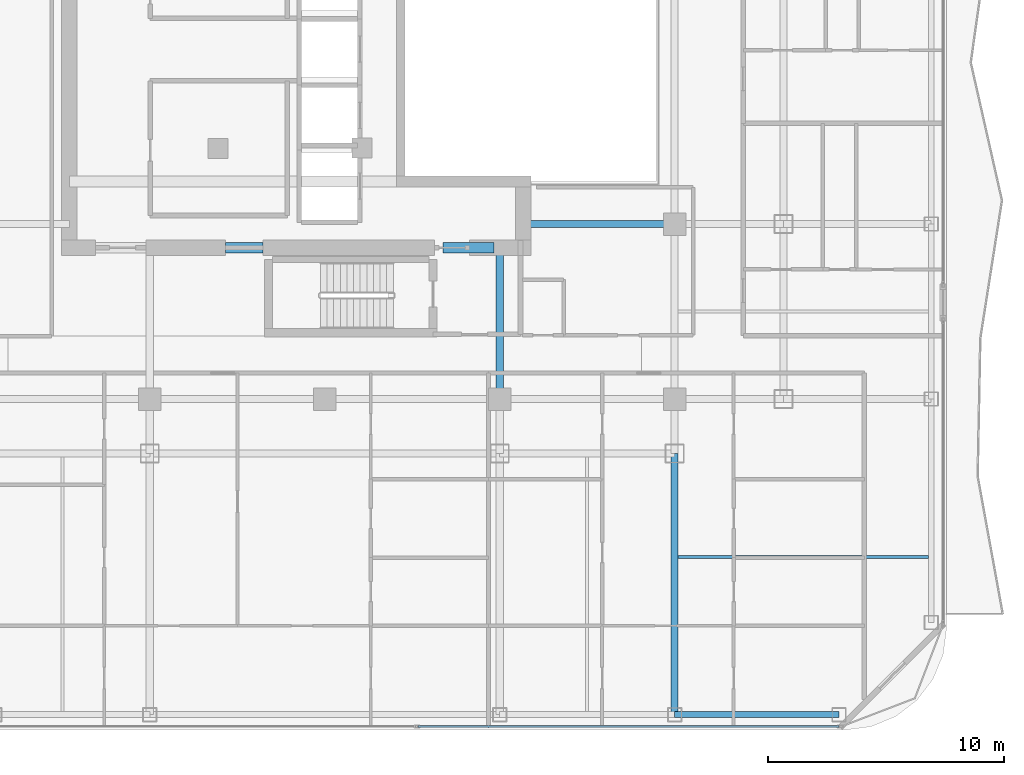
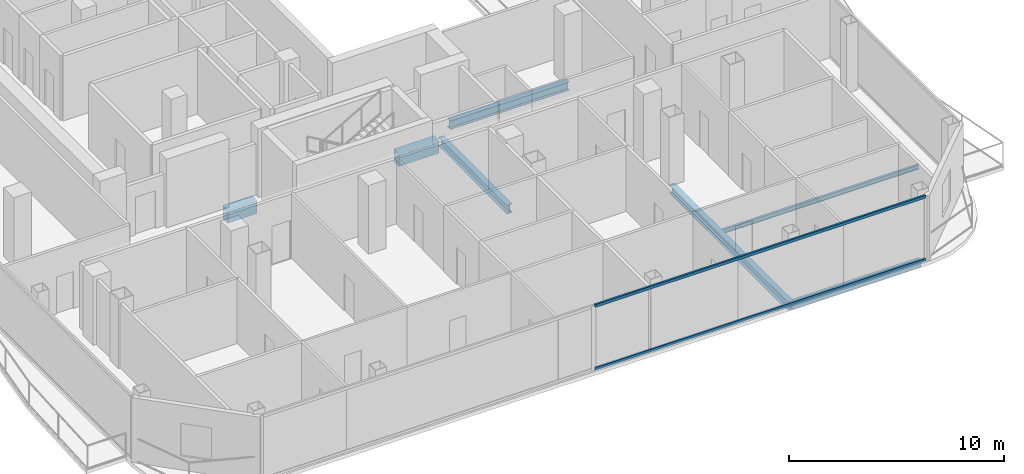
# One storey, part 9 of 27: 7 beams, 2 members, 1 element without a shape of its own.
"""IFC4 building model written with IfcOpenShell, lengths in metres."""

from ifc_helpers import new_model, si_unit, direction, frame, origin, origin_2d, place, context, subcontext, project, spatial, rectangle, hollow_rectangle, i_section, extrude, material, layer, layer_set, material_profile, profile_set, type_object, element, aggregate, save


model = new_model("IFC4")

# Units and contexts
model_context = context("Model", 3, precision=1e-05, world=origin(), true_north=direction((0.0, 1.0)))
body_context = subcontext(model_context, "Body", "Model", "MODEL_VIEW")
ifc_project = project(units=[si_unit("LENGTHUNIT", "METRE"), si_unit("AREAUNIT", "SQUARE_METRE"), si_unit("VOLUMEUNIT", "CUBIC_METRE"), si_unit("PLANEANGLEUNIT", "RADIAN"), si_unit("MASSUNIT", "GRAM", prefix="KILO")], contexts=[model_context])

# Site, building, storey
site_placement = place(None, origin())
site = spatial("IfcSite", under=ifc_project, at=site_placement, CompositionType="ELEMENT")
building_placement = place(site_placement, origin())
building = spatial("IfcBuilding", under=site, at=building_placement, Name="Khorvyn Point Tower", CompositionType="ELEMENT")
storey_placement = place(building_placement, frame((0.0, 0.0, 246.89990234375)))
storey = spatial("IfcBuildingStorey", under=building, at=storey_placement, Name="L60", CompositionType="ELEMENT", Elevation=246.89990234375)

# Curtain wall, members
ifc_material_1 = material(Name="Anodised aluminium 6063-T6 and laminated Low-E glass", Category="aluminium")
ifc_layer = layer(ifc_material_1, 0.18994140625)
ifc_layer_set = layer_set([ifc_layer], Name="Stick-Built Acoustic Curtain Wall CW-SYS-03")
curtain_wall_type = type_object("IfcCurtainWallType", Name="Stick-Built Acoustic Curtain Wall CW-SYS-03", PredefinedType="NOTDEFINED", material=ifc_layer_set)
curtain_wall_placement = place(storey_placement, origin())
curtain_wall = element("IfcCurtainWall", 1, at=curtain_wall_placement, inside=storey, type_object=curtain_wall_type, Name="Curtain Wall", PredefinedType="NOTDEFINED")
ifc_material_2 = material(Name="Anodised aluminium 6063-T6", Category="aluminium")
ifc_material_profile_1 = material_profile(ifc_material_2, hollow_rectangle(XDim=0.10009765625, YDim=0.159912109375, WallThickness=0.00439453125, at=origin_2d()))
ifc_profile_set_1 = profile_set([ifc_material_profile_1], Name="Anodised aluminium 6063-T6 ALU-TRN-100x160")
member_type = type_object("IfcMemberType", Name="Anodised Aluminium 6063-T6 Transom ALU-TRN-100x160", PredefinedType="USERDEFINED", material=ifc_profile_set_1)
member_1_placement = place(storey_placement, frame((21.75, -28.64990234375, 0.050048828125), z_axis=(-1.0, 0.0, 0.0), x_axis=(0.0, -1.0, 0.0)))
member_1 = element("IfcMember", 2, at=member_1_placement, type_object=member_type, Name="Transom", ObjectType="TRANSOM", PredefinedType="USERDEFINED", context=body_context, shape_type="SweptSolid", body=[
    extrude(hollow_rectangle(XDim=0.10009765625, YDim=0.159912109375, WallThickness=0.00439453125, at=origin_2d()), origin(), (0.0, 0.0, 1.0), 17.800048828125),
])
member_2_placement = place(storey_placement, frame((21.75, -28.64990234375, 3.630126953125), z_axis=(-1.0, 0.0, 0.0), x_axis=(0.0, -1.0, 0.0)))
member_2 = element("IfcMember", 3, at=member_2_placement, type_object=member_type, Name="Transom", ObjectType="TRANSOM", PredefinedType="USERDEFINED", context=body_context, shape_type="SweptSolid", body=[
    extrude(hollow_rectangle(XDim=0.10009765625, YDim=0.159912109375, WallThickness=0.00439453125, at=origin_2d()), origin(), (0.0, 0.0, 1.0), 17.800048828125),
])
aggregate(curtain_wall, [member_1, member_2])

# Beams
ifc_material_3 = material(Name="Concrete C40/50", Category="concrete")
ifc_material_profile_2 = material_profile(ifc_material_3, rectangle(XDim=0.449951171875, YDim=0.75, at=origin_2d()))
ifc_profile_set_2 = profile_set([ifc_material_profile_2], Name="Concrete C40/50 RC450x750")
beam_type_1 = type_object("IfcBeamType", Name="Concrete C40/50 Beam RC450x750", PredefinedType="BEAM", material=ifc_profile_set_2)
beam_1_placement = place(storey_placement, frame((-4.199951171875, -8.39990234375, -0.594970703125), z_axis=(1.0, 0.0, 0.0), x_axis=(0.0, 1.0, 0.0)))
element("IfcBeam", 4, at=beam_1_placement, inside=storey, type_object=beam_type_1, Name="L60 Core Shuttle Portal Coupling Beam", PredefinedType="BEAM", context=body_context, shape_type="SweptSolid", body=[
    extrude(rectangle(XDim=0.449951171875, YDim=0.75, at=origin_2d()), origin(), (0.0, 0.0, 1.0), 1.579833984375),
])
beam_2_placement = place(storey_placement, frame((5.0, -8.39990234375, -0.594970703125), z_axis=(1.0, 0.0, 0.0), x_axis=(0.0, 1.0, 0.0)))
element("IfcBeam", 5, at=beam_2_placement, inside=storey, type_object=beam_type_1, Name="L60 Core Southeast Portal Coupling Beam", PredefinedType="BEAM", context=body_context, shape_type="SweptSolid", body=[
    extrude(rectangle(XDim=0.449951171875, YDim=0.75, at=origin_2d()), origin(), (0.0, 0.0, 1.0), 2.14990234375),
])
ifc_material_4 = material(Name="Steel S355", Category="steel")
ifc_material_profile_3 = material_profile(ifc_material_4, i_section(OverallWidth=0.125, OverallDepth=0.25, WebThickness=0.006103515625, FlangeThickness=0.009033203125, at=origin_2d()))
ifc_profile_set_3 = profile_set([ifc_material_profile_3], Name="Steel S355 H250x125x6x9")
beam_type_2 = type_object("IfcBeamType", Name="Steel S355 Joist H250x125x6x9", PredefinedType="JOIST", material=ifc_profile_set_3)
beam_3_placement = place(storey_placement, frame((14.949951171875, -21.47509765625, -0.344970703125), z_axis=(1.0, 0.0, 0.0), x_axis=(0.0, 1.0, 0.0)))
element("IfcBeam", 6, at=beam_3_placement, inside=storey, type_object=beam_type_2, Name="Beam", PredefinedType="JOIST", context=body_context, shape_type="SweptSolid", body=[
    extrude(i_section(OverallWidth=0.125, OverallDepth=0.25, WebThickness=0.006103515625, FlangeThickness=0.009033203125, at=origin_2d()), origin(), (0.0, 0.0, 1.0), 10.574951171875),
])
ifc_material_profile_4 = material_profile(ifc_material_4, i_section(OverallWidth=0.300048828125, OverallDepth=0.488037109375, WebThickness=0.010986328125, FlangeThickness=0.01806640625, at=origin_2d()))
ifc_profile_set_4 = profile_set([ifc_material_profile_4], Name="Steel S355 H488x300x11x18")
beam_type_3 = type_object("IfcBeamType", Name="Steel S355 Spandrel H488x300x11x18", PredefinedType="SPANDREL", material=ifc_profile_set_4)
beam_4_placement = place(storey_placement, frame((8.39990234375, -7.39990234375, -0.4638671875), z_axis=(1.0, 0.0, 0.0), x_axis=(0.0, 1.0, 0.0)))
element("IfcBeam", 7, at=beam_4_placement, inside=storey, type_object=beam_type_3, Name="Beam", PredefinedType="SPANDREL", context=body_context, shape_type="SweptSolid", body=[
    extrude(i_section(OverallWidth=0.300048828125, OverallDepth=0.488037109375, WebThickness=0.010986328125, FlangeThickness=0.01806640625, at=origin_2d()), origin(), (0.0, 0.0, 1.0), 6.400146484375),
])
beam_5_placement = place(storey_placement, frame((14.800048828125, -28.14990234375, -0.4638671875), z_axis=(0.0, 1.0, 0.0), x_axis=(-1.0, 0.0, 0.0)))
element("IfcBeam", 8, at=beam_5_placement, inside=storey, type_object=beam_type_3, Name="Beam", PredefinedType="SPANDREL", context=body_context, shape_type="SweptSolid", body=[
    extrude(i_section(OverallWidth=0.300048828125, OverallDepth=0.488037109375, WebThickness=0.010986328125, FlangeThickness=0.01806640625, at=origin_2d()), origin(), (0.0, 0.0, 1.0), 11.0498046875),
])
beam_6_placement = place(storey_placement, frame((7.39990234375, -14.800048828125, -0.4638671875), z_axis=(0.0, 1.0, 0.0), x_axis=(-1.0, 0.0, 0.0)))
element("IfcBeam", 9, at=beam_6_placement, inside=storey, type_object=beam_type_3, Name="Beam", PredefinedType="SPANDREL", context=body_context, shape_type="SweptSolid", body=[
    extrude(i_section(OverallWidth=0.300048828125, OverallDepth=0.488037109375, WebThickness=0.010986328125, FlangeThickness=0.01806640625, at=origin_2d()), origin(), (0.0, 0.0, 1.0), 6.400146484375),
])
ifc_material_profile_5 = material_profile(ifc_material_4, hollow_rectangle(XDim=0.25, YDim=0.39990234375, WallThickness=0.01611328125, at=origin_2d()))
ifc_profile_set_5 = profile_set([ifc_material_profile_5], Name="Steel S355 RHS400x250x16")
beam_type_4 = type_object("IfcBeamType", Name="Steel S355 Spandrel RHS400x250x16", PredefinedType="SPANDREL", material=ifc_profile_set_5)
beam_7_placement = place(storey_placement, frame((14.800048828125, -28.14990234375, -0.419921875), z_axis=(1.0, 0.0, 0.0), x_axis=(0.0, 1.0, 0.0)))
element("IfcBeam", 10, at=beam_7_placement, inside=storey, type_object=beam_type_4, Name="Beam", PredefinedType="SPANDREL", context=body_context, shape_type="SweptSolid", body=[
    extrude(hollow_rectangle(XDim=0.25, YDim=0.39990234375, WallThickness=0.01611328125, at=origin_2d()), origin(), (0.0, 0.0, 1.0), 6.949951171875),
])

save(model, "model.ifc")
